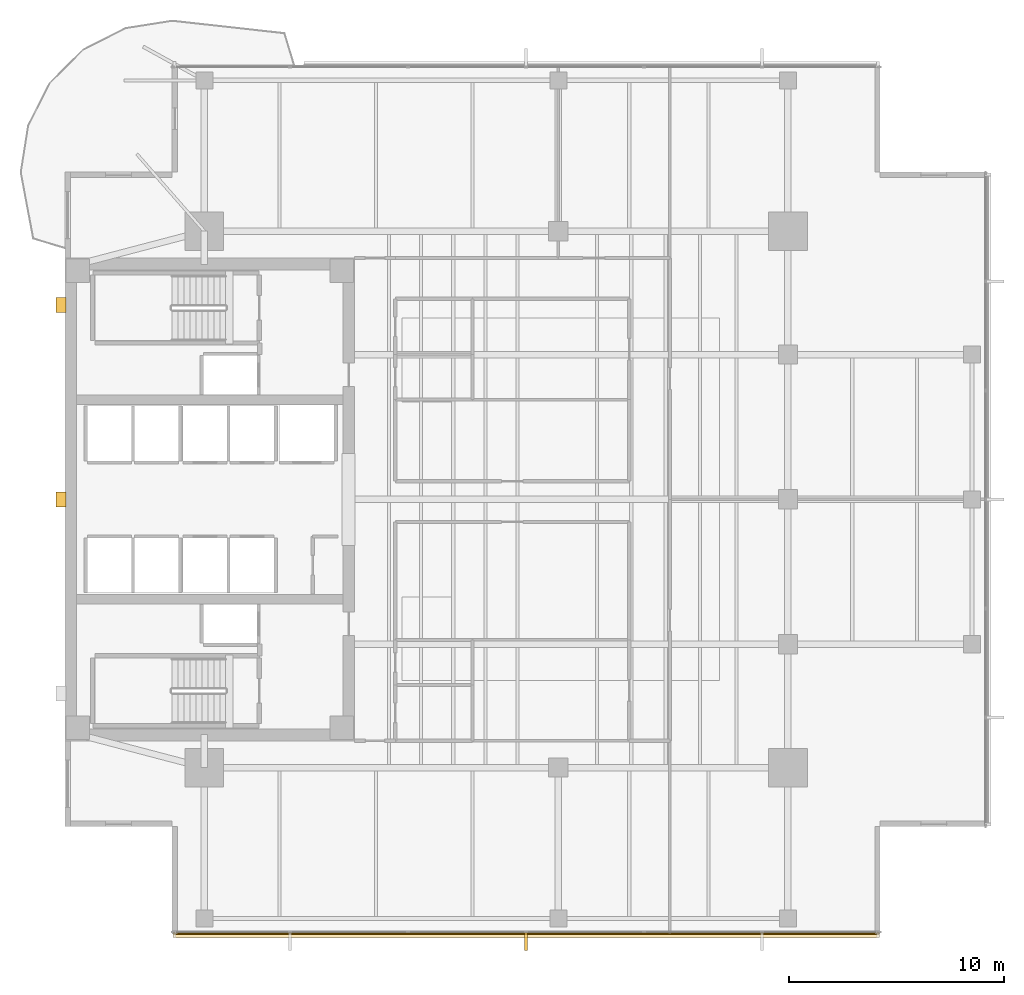
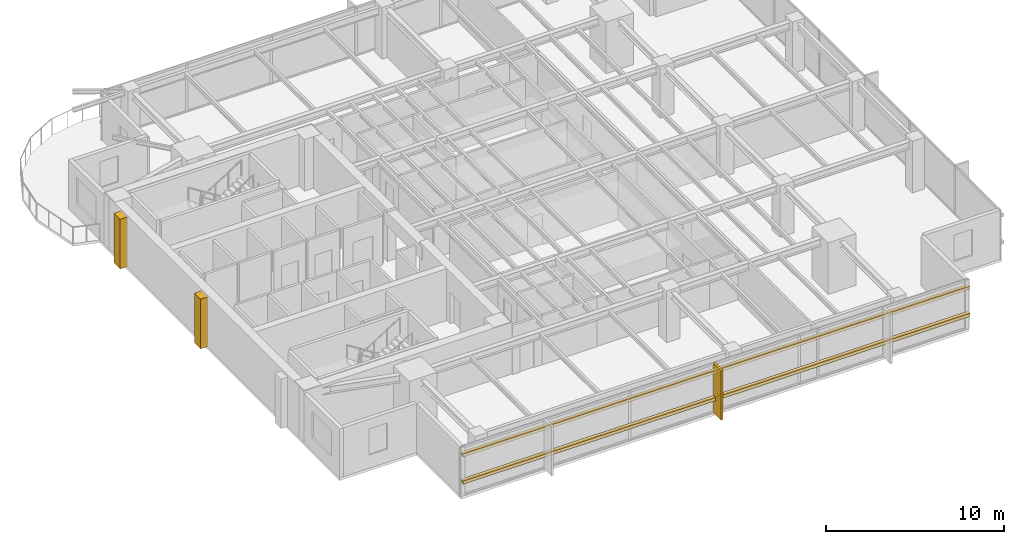
# One storey, part 12 of 14: 5 coverings, 2 shading devices.
"""IFC4 building model written with IfcOpenShell, lengths in metres."""

import ifcopenshell
import ifcopenshell.guid

model = None  # the IFC model being written
_history = None  # IfcOwnerHistory: only IFC2X3 demands one
_inside = {}  # id of a spatial element -> (the spatial element, [elements in it])
_under = {}  # id of a project, library or spatial element -> (it, [spatial elements below it])
_declared = {}  # id of a project -> (the project, [libraries it declares])
_typed = {}  # id of a type object -> (the type object, [elements of that type])
_made_of = {}  # id of a material, layer set ... -> (it, [elements and type objects made of it])


def new_model(schema):
    """Start an empty IFC model of exactly this schema.

    Asked for "IFC4X3", IfcOpenShell would pick the latest addendum, in which some entities
    have other attributes; the version numbers below select the first issue.
    IFC2X3 requires an IfcOwnerHistory on every rooted entity: one is made here for all.
    """
    global model, _history
    if schema == "IFC4X3":
        model = ifcopenshell.file(schema_version=(4, 3, 0, 0))
    else:
        model = ifcopenshell.file(schema=schema)
    _inside.clear()
    _under.clear()
    _declared.clear()
    _typed.clear()
    _made_of.clear()
    _history = None
    if model.schema == "IFC2X3":
        org = make("IfcOrganization", Name="unknown")
        user = make(
            "IfcPersonAndOrganization",
            ThePerson=make("IfcPerson", FamilyName="unknown"),
            TheOrganization=org,
        )
        app = make(
            "IfcApplication",
            ApplicationDeveloper=org,
            Version="unknown",
            ApplicationFullName="unknown",
            ApplicationIdentifier="unknown",
        )
        _history = make(
            "IfcOwnerHistory",
            OwningUser=user,
            OwningApplication=app,
            ChangeAction="ADDED",
            CreationDate=0,
        )
    return model


def make(cls, **values):
    """One entity of the class cls with the attributes given. An attribute that is None is left unset."""
    return model.create_entity(
        cls, **{name: value for name, value in values.items() if value is not None}
    )


def rooted(cls, **values):
    """An entity with a GlobalId (a new one), such as an element, a storey or a relation."""
    return make(cls, GlobalId=ifcopenshell.guid.new(), OwnerHistory=_history, **values)


def si_unit(unit_type, name, prefix=None):
    """IfcSIUnit, for example si_unit("LENGTHUNIT", "METRE", prefix="MILLI")."""
    return make("IfcSIUnit", UnitType=unit_type, Prefix=prefix, Name=name)


def assignment(units):
    """IfcUnitAssignment: the units of a project."""
    return None if units is None else make("IfcUnitAssignment", Units=units)


def point(xyz):
    """IfcCartesianPoint."""
    return None if xyz is None else make("IfcCartesianPoint", Coordinates=xyz)


def direction(xyz):
    """IfcDirection."""
    return None if xyz is None else make("IfcDirection", DirectionRatios=xyz)


def frame(location, z_axis=None, x_axis=None):
    """IfcAxis2Placement3D, a coordinate frame: its origin and axes. An axis left out is left unset."""
    return make(
        "IfcAxis2Placement3D",
        Location=point(location),
        Axis=direction(z_axis),
        RefDirection=direction(x_axis),
    )


def frame_2d(location, x_axis=None):
    """IfcAxis2Placement2D, a coordinate frame in the plane: its origin and x axis."""
    return make(
        "IfcAxis2Placement2D", Location=point(location), RefDirection=direction(x_axis)
    )


def origin():
    """The frame at (0, 0, 0) with its axes left unset."""
    return frame((0.0, 0.0, 0.0))


def origin_2d():
    """The frame at (0, 0) in the plane with its x axis left unset."""
    return frame_2d((0.0, 0.0))


def place(relative_to, where):
    """IfcLocalPlacement: puts the frame where relative to a parent placement (None: the world)."""
    return make(
        "IfcLocalPlacement", PlacementRelTo=relative_to, RelativePlacement=where
    )


def context(
    kind, dimensions, precision=None, world=None, true_north=None, identifier=None
):
    """IfcGeometricRepresentationContext, for example the 3D "Model" context."""
    return make(
        "IfcGeometricRepresentationContext",
        ContextIdentifier=identifier,
        ContextType=kind,
        CoordinateSpaceDimension=dimensions,
        Precision=precision,
        WorldCoordinateSystem=world,
        TrueNorth=true_north,
    )


def subcontext(parent, identifier, kind, view, scale=None):
    """IfcGeometricRepresentationSubContext, for example "Body" below "Model"."""
    return make(
        "IfcGeometricRepresentationSubContext",
        ContextIdentifier=identifier,
        ContextType=kind,
        ParentContext=parent,
        TargetScale=scale,
        TargetView=view,
    )


def project(units=None, contexts=None):
    """IfcProject with its units and contexts."""
    return rooted(
        "IfcProject",
        Name="project",
        RepresentationContexts=contexts,
        UnitsInContext=assignment(units),
    )


def spatial(cls, under=None, at=None, **own):
    """A site, building, storey or space (cls), placed at a placement, below another one or the project."""
    s = rooted(cls, ObjectPlacement=at, **own)
    if under is not None:
        _under.setdefault(under.id(), (under, []))[1].append(s)
    return s


def polyline(points):
    """IfcPolyline through the points."""
    return make("IfcPolyline", Points=[point(p) for p in points])


def profile(cls, at=None, kind="AREA", **sizes):
    """A parametric profile (cls). Its sizes go by their IFC names, for example OverallWidth=200.0."""
    return make(cls, ProfileType=kind, Position=at, **sizes)


def rectangle(**sizes):
    """IfcRectangleProfileDef."""
    return profile("IfcRectangleProfileDef", **sizes)


def outline(outer, holes=None, kind="AREA"):
    """IfcArbitraryClosedProfileDef: a profile drawn as a closed curve; with holes, ...WithVoids."""
    if holes is None:
        return make("IfcArbitraryClosedProfileDef", ProfileType=kind, OuterCurve=outer)
    return make(
        "IfcArbitraryProfileDefWithVoids",
        ProfileType=kind,
        OuterCurve=outer,
        InnerCurves=holes,
    )


def extrude(swept, where, along, depth):
    """IfcExtrudedAreaSolid: the profile swept, set in the frame where, extruded along a direction by depth."""
    return make(
        "IfcExtrudedAreaSolid",
        SweptArea=swept,
        Position=where,
        ExtrudedDirection=direction(along),
        Depth=depth,
    )


def shape(context_of_items, identifier, shape_type, items):
    """IfcShapeRepresentation: the items that make up one representation, for example the "Body"."""
    return make(
        "IfcShapeRepresentation",
        ContextOfItems=context_of_items,
        RepresentationIdentifier=identifier,
        RepresentationType=shape_type,
        Items=items,
    )


def material(Name=None, Category=None):
    """IfcMaterial."""
    return make("IfcMaterial", Name=Name, Category=Category)


def layer(
    of_material, thickness, ventilated=None, Name=None, Category=None, Priority=None
):
    """IfcMaterialLayer: one layer of a wall or slab, of a material (None: an air gap)."""
    return make(
        "IfcMaterialLayer",
        Material=of_material,
        LayerThickness=thickness,
        IsVentilated=ventilated,
        Name=Name,
        Category=Category,
        Priority=Priority,
    )


def layer_set(layers, Name=None):
    """IfcMaterialLayerSet."""
    return make("IfcMaterialLayerSet", MaterialLayers=layers, LayerSetName=Name)


def material_profile(
    of_material, cross_section, Name=None, Category=None, Priority=None
):
    """IfcMaterialProfile: a cross section and its material."""
    return make(
        "IfcMaterialProfile",
        Name=Name,
        Material=of_material,
        Profile=cross_section,
        Priority=Priority,
        Category=Category,
    )


def profile_set(profiles, Name=None, composite=None):
    """IfcMaterialProfileSet."""
    return make(
        "IfcMaterialProfileSet",
        Name=Name,
        MaterialProfiles=profiles,
        CompositeProfile=composite,
    )


def made_of(thing, what):
    """Note that an element or type object is made of a material, layer set ...; save() writes the relation."""
    if what is not None:
        _made_of.setdefault(what.id(), (what, []))[1].append(thing)
    return thing


def type_object(cls, material=None, **own):
    """A type object (cls), such as IfcWallType, which elements share."""
    return made_of(rooted(cls, **own), material)


def element(
    cls,
    number,
    at=None,
    inside=None,
    cuts=None,
    type_object=None,
    material=None,
    context=None,
    identifier="Body",
    shape_type=None,
    held_by="IfcProductDefinitionShape",
    body=None,
    shapes=None,
    **own,
):
    """One element of the class cls, such as IfcWall. Its Tag is "e" and its number.

    at: its placement. inside: the storey or other place that contains it. cuts: it is an
    opening in that element (IfcRelVoidsElement). A single representation is given by context,
    identifier, shape_type and body (its items); several are given by shapes. held_by: the class
    of the entity that holds the representations. save() writes the other relations.
    """
    e = rooted(cls, Tag="e%d" % number, ObjectPlacement=at, **own)
    if body is not None:
        shapes = [shape(context, identifier, shape_type, body)]
    if shapes is not None:
        e.Representation = make(held_by, Representations=shapes)
    if inside is not None:
        _inside.setdefault(inside.id(), (inside, []))[1].append(e)
    if cuts is not None:
        rooted(
            "IfcRelVoidsElement", RelatingBuildingElement=cuts, RelatedOpeningElement=e
        )
    if type_object is not None:
        _typed.setdefault(type_object.id(), (type_object, []))[1].append(e)
    return made_of(e, material)


def aggregate(whole, parts):
    """IfcRelAggregates: a whole, such as a stair, and the parts it consists of."""
    return rooted("IfcRelAggregates", RelatingObject=whole, RelatedObjects=parts)


def save(model, path):
    """Write the relations noted so far, then the file.

    IfcRelAggregates (storeys below a building ...), IfcRelContainedInSpatialStructure (elements
    in a storey), IfcRelDefinesByType, IfcRelAssociatesMaterial and IfcRelDeclares: one each for
    every whole, place, type object, material and project.
    """
    for whole, parts in _under.values():
        aggregate(whole, parts)
    for where, things in _inside.values():
        rooted(
            "IfcRelContainedInSpatialStructure",
            RelatedElements=things,
            RelatingStructure=where,
        )
    for kind, things in _typed.values():
        rooted("IfcRelDefinesByType", RelatedObjects=things, RelatingType=kind)
    for what, things in _made_of.values():
        rooted("IfcRelAssociatesMaterial", RelatedObjects=things, RelatingMaterial=what)
    for by, libraries in _declared.values():
        rooted("IfcRelDeclares", RelatingContext=by, RelatedDefinitions=libraries)
    model.write(path)


model = new_model("IFC4")

# Units and contexts
model_context = context("Model", 3, precision=1e-05, world=origin(), true_north=direction((0.0, 1.0)))
body_context = subcontext(model_context, "Body", "Model", "MODEL_VIEW")
ifc_project = project(units=[si_unit("LENGTHUNIT", "METRE"), si_unit("AREAUNIT", "SQUARE_METRE"), si_unit("VOLUMEUNIT", "CUBIC_METRE"), si_unit("PLANEANGLEUNIT", "RADIAN"), si_unit("MASSUNIT", "GRAM", prefix="KILO")], contexts=[model_context])

# Site, building, storey
site_placement = place(None, origin())
site = spatial("IfcSite", under=ifc_project, at=site_placement, CompositionType="ELEMENT")
building_placement = place(site_placement, origin())
building = spatial("IfcBuilding", under=site, at=building_placement, Name="Kinhvarn Gate Tower", CompositionType="ELEMENT")
storey_placement = place(building_placement, frame((0.0, 0.0, 188.050048828125)))
storey = spatial("IfcBuildingStorey", under=building, at=storey_placement, Name="L49", CompositionType="ELEMENT", Elevation=188.050048828125)

# Coverings
ifc_material_1 = material(Name="Fired architectural terracotta", Category="masonry")
ifc_layer_1 = layer(ifc_material_1, 0.239990234375)
ifc_layer_set_1 = layer_set([ifc_layer_1], Name="Fired architectural terracotta")
covering_type_1 = type_object("IfcCoveringType", Name="COV-BAG-220", PredefinedType="CLADDING", material=ifc_layer_set_1)
for number, where, name in (
    (1, (0.0, 0.0, 0.93994140625), "Terracotta Horizontal Sunscreen Band TBG-220 (L49)"),
    (2, (0.0, 0.0, 2.81005859375), "Terracotta Horizontal Sunscreen Band TBG-220 (L49)"),
):
    element("IfcCovering", number, at=place(storey_placement, frame(where)), inside=storey, type_object=covering_type_1, Name=name, PredefinedType="CLADDING", context=body_context, shape_type="SweptSolid", body=[
        extrude(outline(polyline([(9.5400390625, 5.070068359375), (42.4599609375, 5.070068359375), (42.4599609375, 4.830078125), (9.5400390625, 4.830078125), (9.5400390625, 5.070068359375)])), origin(), (0.0, 0.0, 1.0), 0.219970703125),
    ])
ifc_layer_2 = layer(ifc_material_1, 0.139892578125)
ifc_layer_set_2 = layer_set([ifc_layer_2], Name="Fired architectural terracotta")
covering_type_2 = type_object("IfcCoveringType", Name="COV-FIN-850", PredefinedType="CLADDING", material=ifc_layer_set_2)
covering_1_placement = place(storey_placement, frame((0.0, 0.0, -0.02001953125)))
element("IfcCovering", 3, at=covering_1_placement, inside=storey, type_object=covering_type_2, Name="Vertical Terracotta Expressive Fin TFN-850 (L49)", PredefinedType="CLADDING", context=body_context, shape_type="SweptSolid", body=[
    extrude(outline(polyline([(25.929931640625, 5.080078125), (26.070068359375, 5.080078125), (26.070068359375, 4.22998046875), (25.929931640625, 4.22998046875), (25.929931640625, 5.080078125)])), origin(), (0.0, 0.0, 1.0), 3.409912109375),
])
ifc_material_2 = material(Name="Precast white architectural concrete C40/50", Category="concrete")
ifc_layer_3 = layer(ifc_material_2, 0.47998046875)
ifc_layer_set_3 = layer_set([ifc_layer_3], Name="Precast white architectural concrete C40/50")
covering_type_3 = type_object("IfcCoveringType", Name="COV-RIB-450", PredefinedType="CLADDING", material=ifc_layer_set_3)
covering_2_placement = place(storey_placement, frame((0.0, 0.0, -0.02001953125)))
element("IfcCovering", 4, at=covering_2_placement, inside=storey, type_object=covering_type_3, Name="West Core Sculptural Concrete Relief Rib CRB-450 (L49)", PredefinedType="CLADDING", context=body_context, shape_type="SweptSolid", body=[
    extrude(outline(polyline([(4.080078125, 24.89990234375), (4.56005859375, 24.89990234375), (4.56005859375, 25.60009765625), (4.080078125, 25.60009765625), (4.080078125, 24.89990234375)])), origin(), (0.0, 0.0, 1.0), 3.409912109375),
])
covering_3_placement = place(storey_placement, frame((0.0, 0.0, -0.02001953125)))
element("IfcCovering", 5, at=covering_3_placement, inside=storey, type_object=covering_type_3, Name="West Core Sculptural Concrete Relief Rib CRB-450 (L49)", PredefinedType="CLADDING", context=body_context, shape_type="SweptSolid", body=[
    extrude(outline(polyline([(4.080078125, 33.949951171875), (4.56005859375, 33.949951171875), (4.56005859375, 34.64990234375), (4.080078125, 34.64990234375), (4.080078125, 33.949951171875)])), origin(), (0.0, 0.0, 1.0), 3.409912109375),
])

# Shading devices
ifc_material_profile = material_profile(ifc_material_1, rectangle(XDim=0.050048828125, YDim=0.1201171875, at=origin_2d()), Name="TC 50x120")
ifc_profile_set = profile_set([ifc_material_profile], Name="Fired architectural terracotta")
shading_device_type = type_object("IfcShadingDeviceType", Name="SHD-BAG-140", PredefinedType="USERDEFINED", material=ifc_profile_set)
for number, where, z_axis, x_axis, name in (
    (6, (9.5400390625, 5.0, 1.050048828125), (1.0, 0.0, 0.0), (0.0, 1.0, 0.0), "Upper Tower Terracotta Baguette Screen Rod 50x120 mm (L49)"),
    (7, (9.5400390625, 5.0, 2.919921875), (1.0, 0.0, 0.0), (0.0, 1.0, 0.0), "Upper Tower Terracotta Baguette Screen Rod 50x120 mm (L49)"),
):
    element("IfcShadingDevice", number, at=place(storey_placement, frame(where, z_axis=z_axis, x_axis=x_axis)), inside=storey, type_object=shading_device_type, Name=name, ObjectType="BAGUETTE", PredefinedType="USERDEFINED", context=body_context, shape_type="SweptSolid", body=[
        extrude(rectangle(XDim=0.050048828125, YDim=0.1201171875, at=origin_2d()), origin(), (0.0, 0.0, 1.0), 32.919921875),
    ])

save(model, "model.ifc")
